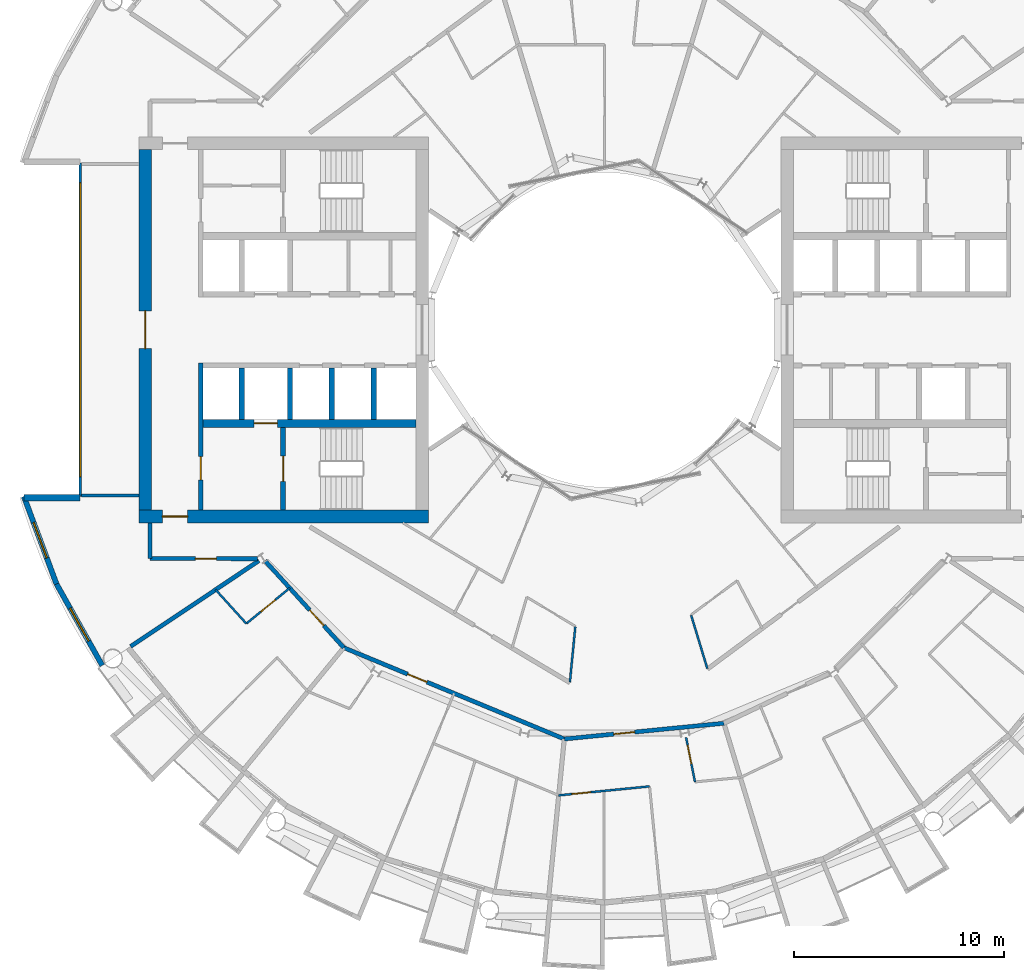
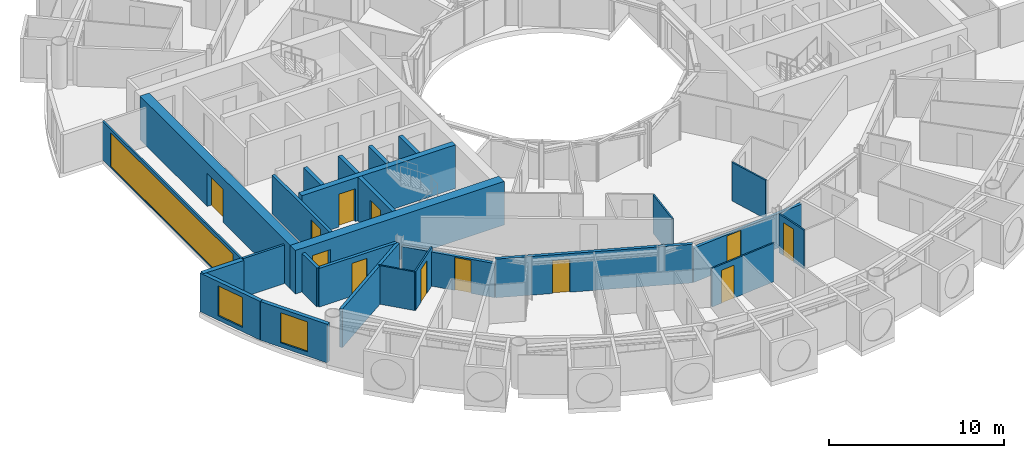
# One storey, part 15 of 27: 26 walls, 12 doors, 3 windows, 15 openings.
"""IFC4 building model written with IfcOpenShell, lengths in metres."""

from ifc_helpers import new_model, si_unit, direction, frame, frame_2d, origin, place, context, subcontext, project, spatial, rectangle, extrude, material, layer, layer_set, type_object, element, fill, save


model = new_model("IFC4")

# Units and contexts
model_context = context("Model", 3, precision=1e-05, world=origin(), true_north=direction((0.0, 1.0)))
body_context = subcontext(model_context, "Body", "Model", "MODEL_VIEW")
ifc_project = project(units=[si_unit("LENGTHUNIT", "METRE"), si_unit("AREAUNIT", "SQUARE_METRE"), si_unit("VOLUMEUNIT", "CUBIC_METRE"), si_unit("PLANEANGLEUNIT", "RADIAN"), si_unit("MASSUNIT", "GRAM", prefix="KILO")], contexts=[model_context])

# Site, building, storey
site_placement = place(None, origin())
site = spatial("IfcSite", under=ifc_project, at=site_placement, CompositionType="ELEMENT")
building_placement = place(site_placement, origin())
building = spatial("IfcBuilding", under=site, at=building_placement, Name="Maasbend Ring Residences", CompositionType="ELEMENT")
storey_placement = place(building_placement, frame((0.0, 0.0, 120.800048828125)))
storey = spatial("IfcBuildingStorey", under=building, at=storey_placement, Name="L34", CompositionType="ELEMENT", Elevation=120.800048828125)

# Wall, opening, door
ifc_material_1 = material(Name="Concrete C60/75", Category="concrete")
ifc_layer_1 = layer(ifc_material_1, 0.25)
ifc_layer_set_1 = layer_set([ifc_layer_1], Name="Concrete C60/75")
wall_type_1 = type_object("IfcWallType", Name="CORE WALL 250 C60/75", PredefinedType="SHEAR", material=ifc_layer_set_1)
wall_1_placement = place(storey_placement, frame((-15.324951171875, -4.64990234375, 0.0), z_axis=(0.0, 0.0, 1.0), x_axis=(0.0, -1.0, 0.0)))
wall_1 = element("IfcWall", 1, at=wall_1_placement, inside=storey, type_object=wall_type_1, Name="L34 core W wall STEN", PredefinedType="SHEAR", context=body_context, shape_type="SweptSolid", body=[
    extrude(rectangle(XDim=3.9501953125, YDim=0.25, at=frame_2d((1.97509765625, 0.0))), origin(), (0.0, 0.0, 1.0), 3.050048828125),
])
opening_1_placement = place(wall_1_placement, frame((1.375, 0.0, 0.0)))
opening_1 = element("IfcOpeningElement", 2, at=opening_1_placement, cuts=wall_1, Name="Opening D-W3410", PredefinedType="OPENING", context=body_context, shape_type="SweptSolid", body=[
    extrude(rectangle(XDim=1.199951171875, YDim=2.300048828125, at=frame_2d((0.60009765625, 1.14990234375))), frame((0.0, 0.135009765625, 0.0), z_axis=(0.0, -1.0, 0.0), x_axis=(1.0, 0.0, 0.0)), (0.0, 0.0, 1.0), 0.27001953125),
])
ifc_material_2 = material(Name="Steel, powder coated", Category="steel")
door_type_1 = type_object("IfcDoorType", Name="STAIR DOOR 1200 X 2300 FD60", OperationType="NOTDEFINED", PredefinedType="DOOR", material=ifc_material_2)
door_1_placement = place(opening_1_placement, origin())
door_1 = element("IfcDoor", 3, at=door_1_placement, inside=storey, type_object=door_type_1, Name="Stair door ST-W L34", OperationType="SINGLE_SWING_LEFT", OverallHeight=2.300048828125, OverallWidth=1.199951171875, PredefinedType="DOOR", context=body_context, shape_type="SweptSolid", body=[
    extrude(rectangle(XDim=1.199951171875, YDim=2.300048828125, at=frame_2d((0.60009765625, 1.14990234375))), frame((0.0, 0.02490234375, 0.0), z_axis=(0.0, -1.0, 0.0), x_axis=(1.0, 0.0, 0.0)), (0.0, 0.0, 1.0), 0.050048828125),
])
fill(opening_1, door_1)

ifc_material_3 = material(Name="Concrete C60/75", Category="concrete")
ifc_layer_2 = layer(ifc_material_3, 0.375)
ifc_layer_set_2 = layer_set([ifc_layer_2], Name="Concrete C60/75")
wall_type_2 = type_object("IfcWallType", Name="CORE WALL 375 C60/75", PredefinedType="SHEAR", material=ifc_layer_set_2)
wall_2_placement = place(storey_placement, frame((-9.0, -4.46240234375, 0.0), z_axis=(0.0, 0.0, 1.0), x_axis=(-1.0, 0.0, 0.0)))
wall_2 = element("IfcWall", 4, at=wall_2_placement, inside=storey, type_object=wall_type_2, Name="L34 core W wall BN", PredefinedType="SHEAR", context=body_context, shape_type="SweptSolid", body=[
    extrude(rectangle(XDim=10.14990234375, YDim=0.375, at=frame_2d((5.074951171875, 0.0))), origin(), (0.0, 0.0, 1.0), 3.050048828125),
])
opening_2_placement = place(wall_2_placement, frame((6.60009765625, 0.0, 0.0)))
opening_2 = element("IfcOpeningElement", 5, at=opening_2_placement, cuts=wall_2, Name="Opening LD-W3404", PredefinedType="OPENING", context=body_context, shape_type="SweptSolid", body=[
    extrude(rectangle(XDim=1.10009765625, YDim=2.300048828125, at=frame_2d((0.550048828125, 1.14990234375))), frame((0.0, 0.197509765625, 0.0), z_axis=(0.0, -1.0, 0.0), x_axis=(1.0, 0.0, 0.0)), (0.0, 0.0, 1.0), 0.39501953125),
])
ifc_material_4 = material(Name="Stainless steel 316", Category="steel")
door_type_2 = type_object("IfcDoorType", Name="LANDING DOOR 1100 X 2300 FD60", OperationType="DOUBLE_DOOR_SLIDING", PredefinedType="DOOR", material=ifc_material_4)
door_2_placement = place(opening_2_placement, origin())
door_2 = element("IfcDoor", 6, at=door_2_placement, inside=storey, type_object=door_type_2, Name="Landing door FF-W L34", OperationType="DOUBLE_DOOR_SLIDING", OverallHeight=2.300048828125, OverallWidth=1.10009765625, PredefinedType="DOOR", context=body_context, shape_type="SweptSolid", body=[
    extrude(rectangle(XDim=1.10009765625, YDim=2.300048828125, at=frame_2d((0.550048828125, 1.14990234375))), frame((0.0, 0.02490234375, 0.0), z_axis=(0.0, -1.0, 0.0), x_axis=(1.0, 0.0, 0.0)), (0.0, 0.0, 1.0), 0.050048828125),
])
fill(opening_2, door_2)

ifc_material_5 = material(Name="Concrete C60/75", Category="concrete")
ifc_layer_3 = layer(ifc_material_5, 0.60009765625)
ifc_layer_set_3 = layer_set([ifc_layer_3], Name="Concrete C60/75")
wall_type_3 = type_object("IfcWallType", Name="CORE WALL 600 C60/75", PredefinedType="SHEAR", material=ifc_layer_set_3)
wall_3_placement = place(storey_placement, frame((-22.199951171875, -8.89990234375, 0.0), z_axis=(0.0, 0.0, 1.0), x_axis=(1.0, 0.0, 0.0)))
wall_3 = element("IfcWall", 7, at=wall_3_placement, inside=storey, type_object=wall_type_3, Name="L34 core W wall PN", PredefinedType="SHEAR", context=body_context, shape_type="SweptSolid", body=[
    extrude(rectangle(XDim=13.800048828125, YDim=0.60009765625, at=frame_2d((6.89990234375, 0.0))), origin(), (0.0, 0.0, 1.0), 3.050048828125),
])
opening_3_placement = place(wall_3_placement, frame((1.125, 0.0, 0.0)))
opening_3 = element("IfcOpeningElement", 8, at=opening_3_placement, cuts=wall_3, Name="Opening D-W3414", PredefinedType="OPENING", context=body_context, shape_type="SweptSolid", body=[
    extrude(rectangle(XDim=1.199951171875, YDim=2.300048828125, at=frame_2d((0.60009765625, 1.14990234375))), frame((0.0, 0.31005859375, 0.0), z_axis=(0.0, -1.0, 0.0), x_axis=(1.0, 0.0, 0.0)), (0.0, 0.0, 1.0), 0.6201171875),
])
ifc_material_6 = material(Name="Steel, powder coated", Category="steel")
door_type_3 = type_object("IfcDoorType", Name="CORRIDOR DOOR 1200 X 2300 FD30S", OperationType="NOTDEFINED", PredefinedType="DOOR", material=ifc_material_6)
door_3_placement = place(opening_3_placement, origin())
door_3 = element("IfcDoor", 9, at=door_3_placement, inside=storey, type_object=door_type_3, Name="Corridor door L34", OperationType="SINGLE_SWING_RIGHT", OverallHeight=2.300048828125, OverallWidth=1.199951171875, PredefinedType="DOOR", context=body_context, shape_type="SweptSolid", body=[
    extrude(rectangle(XDim=1.199951171875, YDim=2.300048828125, at=frame_2d((0.60009765625, 1.14990234375))), frame((0.0, 0.02490234375, 0.0), z_axis=(0.0, -1.0, 0.0), x_axis=(1.0, 0.0, 0.0)), (0.0, 0.0, 1.0), 0.050048828125),
])
fill(opening_3, door_3)

wall_4_placement = place(storey_placement, frame((-21.89990234375, -8.60009765625, 0.0), z_axis=(0.0, 0.0, 1.0), x_axis=(0.0, 1.0, 0.0)))
wall_4 = element("IfcWall", 10, at=wall_4_placement, inside=storey, type_object=wall_type_3, Name="L34 core W wall POUT", PredefinedType="SHEAR", context=body_context, shape_type="SweptSolid", body=[
    extrude(rectangle(XDim=17.2001953125, YDim=0.60009765625, at=frame_2d((8.60009765625, 0.0))), origin(), (0.0, 0.0, 1.0), 3.050048828125),
])
opening_4_placement = place(wall_4_placement, frame((7.699951171875, 0.0, 0.0)))
opening_4 = element("IfcOpeningElement", 11, at=opening_4_placement, cuts=wall_4, Name="Opening D-W3416", PredefinedType="OPENING", context=body_context, shape_type="SweptSolid", body=[
    extrude(rectangle(XDim=1.800048828125, YDim=2.300048828125, at=frame_2d((0.89990234375, 1.14990234375))), frame((0.0, 0.31005859375, 0.0), z_axis=(0.0, -1.0, 0.0), x_axis=(1.0, 0.0, 0.0)), (0.0, 0.0, 1.0), 0.6201171875),
])
ifc_material_7 = material(Name="Aluminium frame, clear glass", Category="aluminium")
door_type_4 = type_object("IfcDoorType", Name="ENTRANCE DOOR 1800 X 2300 FD60", OperationType="NOTDEFINED", PredefinedType="DOOR", material=ifc_material_7)
door_4_placement = place(opening_4_placement, origin())
door_4 = element("IfcDoor", 12, at=door_4_placement, inside=storey, type_object=door_type_4, Name="Lobby glazed door L34", OperationType="SINGLE_SWING_LEFT", OverallHeight=2.300048828125, OverallWidth=1.800048828125, PredefinedType="DOOR", context=body_context, shape_type="SweptSolid", body=[
    extrude(rectangle(XDim=1.800048828125, YDim=2.300048828125, at=frame_2d((0.89990234375, 1.14990234375))), frame((0.0, 0.02490234375, 0.0), z_axis=(0.0, -1.0, 0.0), x_axis=(1.0, 0.0, 0.0)), (0.0, 0.0, 1.0), 0.050048828125),
])
fill(opening_4, door_4)

ifc_material_8 = material(Name="Concrete C30/37", Category="concrete")
ifc_layer_4 = layer(ifc_material_8, 0.199951171875)
ifc_layer_set_4 = layer_set([ifc_layer_4], Name="Concrete C30/37")
wall_type_4 = type_object("IfcWallType", Name="CORRIDOR WALL 200 CONCRETE", PredefinedType="PARTITIONING", material=ifc_layer_set_4)
wall_5_placement = place(storey_placement, frame((-16.19189453125, -11.00390625, 0.0), z_axis=(0.0, 0.0, 1.0), x_axis=(0.671481997275, -0.741020868354, 0.0)))
wall_5 = element("IfcWall", 13, at=wall_5_placement, inside=storey, type_object=wall_type_4, Name="U-L34-w013", PredefinedType="PARTITIONING", context=body_context, shape_type="SweptSolid", body=[
    extrude(rectangle(XDim=5.59619140625, YDim=0.199951171875, at=frame_2d((2.798095703125, 0.0))), origin(), (0.0, 0.0, 1.0), 2.389892578125),
])
opening_5_placement = place(wall_5_placement, frame((3.178955078125, 0.0, 0.0)))
opening_5 = element("IfcOpeningElement", 14, at=opening_5_placement, cuts=wall_5, Name="Opening D-3433", PredefinedType="OPENING", context=body_context, shape_type="SweptSolid", body=[
    extrude(rectangle(XDim=1.0, YDim=2.300048828125, at=frame_2d((0.5, 1.14990234375))), frame((0.0, 0.10986328125, 0.0), z_axis=(0.0, -1.0, 0.0), x_axis=(1.0, 0.0, 0.0)), (0.0, 0.0, 1.0), 0.219970703125),
])
ifc_material_9 = material(Name="Timber, fire-rated, painted", Category="wood")
door_type_5 = type_object("IfcDoorType", Name="FLAT ENTRANCE DOOR 1000 X 2300 FIRE-RATED", OperationType="NOTDEFINED", PredefinedType="DOOR", material=ifc_material_9)
door_5_placement = place(opening_5_placement, origin())
door_5 = element("IfcDoor", 15, at=door_5_placement, inside=storey, type_object=door_type_5, Name="D-3433", OperationType="SINGLE_SWING_RIGHT", OverallHeight=2.300048828125, OverallWidth=1.0, PredefinedType="DOOR", context=body_context, shape_type="SweptSolid", body=[
    extrude(rectangle(XDim=1.0, YDim=2.300048828125, at=frame_2d((0.5, 1.14990234375))), frame((0.0, 0.02490234375, 0.0), z_axis=(0.0, -1.0, 0.0), x_axis=(1.0, 0.0, 0.0)), (0.0, 0.0, 1.0), 0.050048828125),
])
fill(opening_5, door_5)

wall_6_placement = place(storey_placement, frame((-1.9208984375, -19.506103515625, 0.0), z_axis=(0.0, 0.0, 1.0), x_axis=(0.995172982325, 0.098136309541, 0.0)))
wall_6 = element("IfcWall", 16, at=wall_6_placement, inside=storey, type_object=wall_type_4, Name="U-L34-w015", PredefinedType="PARTITIONING", context=body_context, shape_type="SweptSolid", body=[
    extrude(rectangle(XDim=7.65478515625, YDim=0.199951171875, at=frame_2d((3.827392578125, 0.0))), origin(), (0.0, 0.0, 1.0), 2.389892578125),
])
opening_6_placement = place(wall_6_placement, frame((2.367919921875, 0.0, 0.0)))
opening_6 = element("IfcOpeningElement", 17, at=opening_6_placement, cuts=wall_6, Name="Opening D-3442", PredefinedType="OPENING", context=body_context, shape_type="SweptSolid", body=[
    extrude(rectangle(XDim=1.0, YDim=2.300048828125, at=frame_2d((0.5, 1.14990234375))), frame((0.0, 0.10986328125, 0.0), z_axis=(0.0, -1.0, 0.0), x_axis=(1.0, 0.0, 0.0)), (0.0, 0.0, 1.0), 0.219970703125),
])
door_6_placement = place(opening_6_placement, origin())
door_6 = element("IfcDoor", 18, at=door_6_placement, inside=storey, type_object=door_type_5, Name="D-3442", OperationType="SINGLE_SWING_LEFT", OverallHeight=2.300048828125, OverallWidth=1.0, PredefinedType="DOOR", context=body_context, shape_type="SweptSolid", body=[
    extrude(rectangle(XDim=1.0, YDim=2.300048828125, at=frame_2d((0.5, 1.14990234375))), frame((0.0, 0.02490234375, 0.0), z_axis=(0.0, -1.0, 0.0), x_axis=(1.0, 0.0, 0.0)), (0.0, 0.0, 1.0), 0.050048828125),
])
fill(opening_6, door_6)

wall_7_placement = place(storey_placement, frame((-12.43408203125, -15.15087890625, 0.0), z_axis=(0.0, 0.0, 1.0), x_axis=(0.923888467236, -0.382661861319, 0.0)))
wall_7 = element("IfcWall", 19, at=wall_7_placement, inside=storey, type_object=wall_type_4, Name="U-L34-w017", PredefinedType="PARTITIONING", context=body_context, shape_type="SweptSolid", body=[
    extrude(rectangle(XDim=11.38134765625, YDim=0.199951171875, at=frame_2d((5.690673828125, 0.0))), origin(), (0.0, 0.0, 1.0), 2.699951171875),
])
opening_7_placement = place(wall_7_placement, frame((3.2919921875, 0.0, 0.0)))
opening_7 = element("IfcOpeningElement", 20, at=opening_7_placement, cuts=wall_7, Name="Opening D-3436", PredefinedType="OPENING", context=body_context, shape_type="SweptSolid", body=[
    extrude(rectangle(XDim=1.0, YDim=2.300048828125, at=frame_2d((0.5, 1.14990234375))), frame((0.0, 0.10986328125, 0.0), z_axis=(0.0, -1.0, 0.0), x_axis=(1.0, 0.0, 0.0)), (0.0, 0.0, 1.0), 0.219970703125),
])
door_7_placement = place(opening_7_placement, origin())
door_7 = element("IfcDoor", 21, at=door_7_placement, inside=storey, type_object=door_type_5, Name="D-3436", OperationType="SINGLE_SWING_LEFT", OverallHeight=2.300048828125, OverallWidth=1.0, PredefinedType="DOOR", context=body_context, shape_type="SweptSolid", body=[
    extrude(rectangle(XDim=1.0, YDim=2.300048828125, at=frame_2d((0.5, 1.14990234375))), frame((0.0, 0.02490234375, 0.0), z_axis=(0.0, -1.0, 0.0), x_axis=(1.0, 0.0, 0.0)), (0.0, 0.0, 1.0), 0.050048828125),
])
fill(opening_7, door_7)

wall_8_placement = place(storey_placement, frame((-21.675048828125, -10.89990234375, 0.0), z_axis=(0.0, 0.0, 1.0), x_axis=(0.999997173357, -0.002377662213, 0.0)))
wall_8 = element("IfcWall", 22, at=wall_8_placement, inside=storey, type_object=wall_type_4, Name="U-L34-w024", PredefinedType="PARTITIONING", context=body_context, shape_type="SweptSolid", body=[
    extrude(rectangle(XDim=5.134033203125, YDim=0.199951171875, at=frame_2d((2.56689453125, 0.0))), origin(), (0.0, 0.0, 1.0), 2.699951171875),
])
opening_8_placement = place(wall_8_placement, frame((2.1708984375, 0.0, 0.0)))
opening_8 = element("IfcOpeningElement", 23, at=opening_8_placement, cuts=wall_8, Name="Opening D-3462", PredefinedType="OPENING", context=body_context, shape_type="SweptSolid", body=[
    extrude(rectangle(XDim=1.0, YDim=2.300048828125, at=frame_2d((0.5, 1.14990234375))), frame((0.0, 0.10986328125, 0.0), z_axis=(0.0, -1.0, 0.0), x_axis=(1.0, 0.0, 0.0)), (0.0, 0.0, 1.0), 0.219970703125),
])
ifc_material_10 = material(Name="Timber, painted", Category="wood")
door_type_6 = type_object("IfcDoorType", Name="ROOM DOOR 1000 X 2300", OperationType="NOTDEFINED", PredefinedType="DOOR", material=ifc_material_10)
door_8_placement = place(opening_8_placement, origin())
door_8 = element("IfcDoor", 24, at=door_8_placement, inside=storey, type_object=door_type_6, Name="D-3462", OperationType="SINGLE_SWING_RIGHT", OverallHeight=2.300048828125, OverallWidth=1.0, PredefinedType="DOOR", context=body_context, shape_type="SweptSolid", body=[
    extrude(rectangle(XDim=1.0, YDim=2.300048828125, at=frame_2d((0.5, 1.14990234375))), frame((0.0, 0.02490234375, 0.0), z_axis=(0.0, -1.0, 0.0), x_axis=(1.0, 0.0, 0.0)), (0.0, 0.0, 1.0), 0.050048828125),
])
fill(opening_8, door_8)

# Wall
wall_9_placement = place(storey_placement, frame((-21.675048828125, -10.89990234375, 0.0), z_axis=(0.0, 0.0, 1.0), x_axis=(0.0, 1.0, 0.0)))
element("IfcWall", 25, at=wall_9_placement, inside=storey, type_object=wall_type_4, Name="U-L34-w103", PredefinedType="PARTITIONING", context=body_context, shape_type="SweptSolid", body=[
    extrude(rectangle(XDim=1.699951171875, YDim=0.199951171875, at=frame_2d((0.85009765625, 0.0))), origin(), (0.0, 0.0, 1.0), 2.699951171875),
])

# Wall, opening, window
ifc_material_11 = material(Name="Aluminium clad insulated panel", Category="aluminium")
ifc_layer_5 = layer(ifc_material_11, 0.25)
ifc_layer_set_5 = layer_set([ifc_layer_5], Name="EW-HORN")
wall_type_5 = type_object("IfcWallType", Name="EW-HORN", PredefinedType="SOLIDWALL", material=ifc_layer_set_5)
wall_10_placement = place(storey_placement, frame((-27.681884765625, -7.945068359375, 0.0), z_axis=(0.0, 0.0, 1.0), x_axis=(0.349247811493, -0.937030397675, 0.0)))
wall_10 = element("IfcWall", 26, at=wall_10_placement, inside=storey, type_object=wall_type_5, Name="Horn wall 3.1", PredefinedType="SOLIDWALL", context=body_context, shape_type="SweptSolid", body=[
    extrude(rectangle(XDim=4.4521484375, YDim=0.25, at=frame_2d((2.22607421875, 0.0))), origin(), (0.0, 0.0, 1.0), 2.699951171875),
])
opening_9_placement = place(wall_10_placement, frame((1.32666015625, 0.0, 0.300048828125)))
opening_9 = element("IfcOpeningElement", 27, at=opening_9_placement, cuts=wall_10, Name="Opening W-BX", PredefinedType="OPENING", context=body_context, shape_type="SweptSolid", body=[
    extrude(rectangle(XDim=1.800048828125, YDim=2.10009765625, at=frame_2d((0.89990234375, 1.050048828125))), frame((0.0, 0.135009765625, 0.0), z_axis=(0.0, -1.0, 0.0), x_axis=(1.0, 0.0, 0.0)), (0.0, 0.0, 1.0), 0.27001953125),
])
ifc_material_12 = material(Name="Aluminium and clear glass", Category="aluminium")
window_type_1 = type_object("IfcWindowType", Name="W-BX", PartitioningType="DOUBLE_PANEL_VERTICAL", PredefinedType="WINDOW", material=ifc_material_12)
window_1_placement = place(opening_9_placement, origin())
window_1 = element("IfcWindow", 28, at=window_1_placement, inside=storey, type_object=window_type_1, Name="Horn window 3.1", OverallHeight=2.10009765625, OverallWidth=1.800048828125, PartitioningType="SINGLE_PANEL", PredefinedType="WINDOW", context=body_context, shape_type="SweptSolid", body=[
    extrude(rectangle(XDim=1.800048828125, YDim=2.10009765625, at=frame_2d((0.89990234375, 1.050048828125))), frame((0.0, 0.030029296875, 0.0), z_axis=(0.0, -1.0, 0.0), x_axis=(1.0, 0.0, 0.0)), (0.0, 0.0, 1.0), 0.06005859375),
])
fill(opening_9, window_1)

wall_11_placement = place(storey_placement, frame((-26.126953125, -12.116943359375, 0.0), z_axis=(0.0, 0.0, 1.0), x_axis=(0.489696356642, -0.871893042919, 0.0)))
wall_11 = element("IfcWall", 29, at=wall_11_placement, inside=storey, type_object=wall_type_5, Name="Horn wall 3.2", PredefinedType="SOLIDWALL", context=body_context, shape_type="SweptSolid", body=[
    extrude(rectangle(XDim=4.45361328125, YDim=0.25, at=frame_2d((2.226806640625, 0.0))), origin(), (0.0, 0.0, 1.0), 2.699951171875),
])
opening_10_placement = place(wall_11_placement, frame((1.32666015625, 0.0, 0.300048828125)))
opening_10 = element("IfcOpeningElement", 30, at=opening_10_placement, cuts=wall_11, Name="Opening W-BX", PredefinedType="OPENING", context=body_context, shape_type="SweptSolid", body=[
    extrude(rectangle(XDim=1.800048828125, YDim=2.10009765625, at=frame_2d((0.89990234375, 1.050048828125))), frame((0.0, 0.135009765625, 0.0), z_axis=(0.0, -1.0, 0.0), x_axis=(1.0, 0.0, 0.0)), (0.0, 0.0, 1.0), 0.27001953125),
])
window_2_placement = place(opening_10_placement, origin())
window_2 = element("IfcWindow", 31, at=window_2_placement, inside=storey, type_object=window_type_1, Name="Horn window 3.2", OverallHeight=2.10009765625, OverallWidth=1.800048828125, PartitioningType="SINGLE_PANEL", PredefinedType="WINDOW", context=body_context, shape_type="SweptSolid", body=[
    extrude(rectangle(XDim=1.800048828125, YDim=2.10009765625, at=frame_2d((0.89990234375, 1.050048828125))), frame((0.0, 0.030029296875, 0.0), z_axis=(0.0, -1.0, 0.0), x_axis=(1.0, 0.0, 0.0)), (0.0, 0.0, 1.0), 0.06005859375),
])
fill(opening_10, window_2)

# Wall
ifc_material_13 = material(Name="Aluminium clad insulated panel", Category="aluminium")
ifc_layer_6 = layer(ifc_material_13, 0.300048828125)
ifc_layer_set_6 = layer_set([ifc_layer_6], Name="EW-RET")
wall_type_6 = type_object("IfcWallType", Name="EW-RET", PredefinedType="SOLIDWALL", material=ifc_layer_set_6)
wall_12_placement = place(storey_placement, frame((-25.0, -8.0, 0.0), z_axis=(0.0, 0.0, 1.0), x_axis=(-1.0, 0.0, 0.0)))
element("IfcWall", 32, at=wall_12_placement, inside=storey, type_object=wall_type_6, Name="Notch return wall west south", PredefinedType="SOLIDWALL", context=body_context, shape_type="SweptSolid", body=[
    extrude(rectangle(XDim=2.6669921875, YDim=0.300048828125, at=frame_2d((1.33349609375, 0.0))), origin(), (0.0, 0.0, 1.0), 2.699951171875),
])

# Wall, opening, window
ifc_material_14 = material(Name="Aluminium frame and clear glass", Category="aluminium")
ifc_layer_7 = layer(ifc_material_14, 0.1201171875)
ifc_layer_set_7 = layer_set([ifc_layer_7], Name="GLAZED SCREEN WALL 120 EI 60")
wall_type_7 = type_object("IfcWallType", Name="GLAZED SCREEN WALL 120 EI 60", PredefinedType="PARTITIONING", material=ifc_layer_set_7)
wall_13_placement = place(storey_placement, frame((-25.0, 7.949951171875, 0.0), z_axis=(0.0, 0.0, 1.0), x_axis=(0.0, -1.0, 0.0)))
wall_13 = element("IfcWall", 33, at=wall_13_placement, inside=storey, type_object=wall_type_7, Name="L34 core W wall FACE", PredefinedType="PARTITIONING", context=body_context, shape_type="SweptSolid", body=[
    extrude(rectangle(XDim=15.89990234375, YDim=0.1201171875, at=frame_2d((7.949951171875, 0.0))), origin(), (0.0, 0.0, 1.0), 2.699951171875),
])
opening_11_placement = place(wall_13_placement, frame((0.949951171875, 0.0, 0.10009765625)))
opening_11 = element("IfcOpeningElement", 34, at=opening_11_placement, cuts=wall_13, Name="Opening W-W3402", PredefinedType="OPENING", context=body_context, shape_type="SweptSolid", body=[
    extrude(rectangle(XDim=14.0, YDim=2.35009765625, at=frame_2d((7.0, 1.175048828125))), frame((0.0, 0.070068359375, 0.0), z_axis=(0.0, -1.0, 0.0), x_axis=(1.0, 0.0, 0.0)), (0.0, 0.0, 1.0), 0.14013671875),
])
ifc_material_15 = material(Name="Aluminium frame and clear glass", Category="aluminium")
window_type_2 = type_object("IfcWindowType", Name="FIXED WINDOW 14000 X 2350", PartitioningType="SINGLE_PANEL", PredefinedType="WINDOW", material=ifc_material_15)
window_3_placement = place(opening_11_placement, origin())
window_3 = element("IfcWindow", 35, at=window_3_placement, inside=storey, type_object=window_type_2, Name="Lobby window L34", OverallHeight=2.35009765625, OverallWidth=14.0, PartitioningType="SINGLE_PANEL", PredefinedType="WINDOW", context=body_context, shape_type="SweptSolid", body=[
    extrude(rectangle(XDim=14.0, YDim=2.35009765625, at=frame_2d((7.0, 1.175048828125))), frame((0.0, 0.030029296875, 0.0), z_axis=(0.0, -1.0, 0.0), x_axis=(1.0, 0.0, 0.0)), (0.0, 0.0, 1.0), 0.06005859375),
])
fill(opening_11, window_3)

# Wall
ifc_material_16 = material(Name="Gypsum board on steel studs", Category="steel")
ifc_layer_8 = layer(ifc_material_16, 0.10009765625)
ifc_layer_set_8 = layer_set([ifc_layer_8], Name="PARTITION 100 GYPSUM")
wall_type_8 = type_object("IfcWallType", Name="PARTITION 100 GYPSUM", PredefinedType="PARTITIONING", material=ifc_layer_set_8)
wall_14_placement = place(storey_placement, frame((-18.5419921875, -12.388916015625, 0.0), z_axis=(0.0, 0.0, 1.0), x_axis=(0.671396556615, -0.741098282123, 0.0)))
element("IfcWall", 36, at=wall_14_placement, inside=storey, type_object=wall_type_8, Name="U-L34-w001", PredefinedType="PARTITIONING", context=body_context, shape_type="SweptSolid", body=[
    extrude(rectangle(XDim=2.18212890625, YDim=0.10009765625, at=frame_2d((1.091064453125, 0.0))), origin(), (0.0, 0.0, 1.0), 2.699951171875),
])

# Wall, opening, door
wall_15_placement = place(storey_placement, frame((-2.193115234375, -22.194091796875, 0.0), z_axis=(0.0, 0.0, 1.0), x_axis=(0.995173152282, 0.098134586035, 0.0)))
wall_15 = element("IfcWall", 37, at=wall_15_placement, inside=storey, type_object=wall_type_8, Name="U-L34-w005", PredefinedType="PARTITIONING", context=body_context, shape_type="SweptSolid", body=[
    extrude(rectangle(XDim=4.361083984375, YDim=0.10009765625, at=frame_2d((2.1806640625, 0.0))), origin(), (0.0, 0.0, 1.0), 2.699951171875),
])
opening_12_placement = place(wall_15_placement, frame((0.64111328125, 0.0, 0.0)))
opening_12 = element("IfcOpeningElement", 38, at=opening_12_placement, cuts=wall_15, Name="Opening D-3445", PredefinedType="OPENING", context=body_context, shape_type="SweptSolid", body=[
    extrude(rectangle(XDim=0.89990234375, YDim=2.300048828125, at=frame_2d((0.449951171875, 1.14990234375))), frame((0.0, 0.06005859375, 0.0), z_axis=(0.0, -1.0, 0.0), x_axis=(1.0, 0.0, 0.0)), (0.0, 0.0, 1.0), 0.1201171875),
])
ifc_material_17 = material(Name="Timber, painted", Category="wood")
door_type_7 = type_object("IfcDoorType", Name="INTERNAL DOOR 900 X 2300", OperationType="NOTDEFINED", PredefinedType="DOOR", material=ifc_material_17)
door_9_placement = place(opening_12_placement, origin())
door_9 = element("IfcDoor", 39, at=door_9_placement, inside=storey, type_object=door_type_7, Name="D-3445", OperationType="SINGLE_SWING_LEFT", OverallHeight=2.300048828125, OverallWidth=0.89990234375, PredefinedType="DOOR", context=body_context, shape_type="SweptSolid", body=[
    extrude(rectangle(XDim=0.89990234375, YDim=2.300048828125, at=frame_2d((0.449951171875, 1.14990234375))), frame((0.0, 0.02490234375, 0.0), z_axis=(0.0, -1.0, 0.0), x_axis=(1.0, 0.0, 0.0)), (0.0, 0.0, 1.0), 0.050048828125),
])
fill(opening_12, door_9)

wall_16_placement = place(storey_placement, frame((-17.076904296875, -14.006103515625, 0.0), z_axis=(0.0, 0.0, 1.0), x_axis=(0.77319617123, 0.634166918717, 0.0)))
wall_16 = element("IfcWall", 40, at=wall_16_placement, inside=storey, type_object=wall_type_8, Name="U-L34-w038", PredefinedType="PARTITIONING", context=body_context, shape_type="SweptSolid", body=[
    extrude(rectangle(XDim=2.674560546875, YDim=0.10009765625, at=frame_2d((1.33740234375, 0.0))), origin(), (0.0, 0.0, 1.0), 2.699951171875),
])
opening_13_placement = place(wall_16_placement, frame((0.886962890625, 0.0, 0.0)))
opening_13 = element("IfcOpeningElement", 41, at=opening_13_placement, cuts=wall_16, Name="Opening D-3434", PredefinedType="OPENING", context=body_context, shape_type="SweptSolid", body=[
    extrude(rectangle(XDim=0.89990234375, YDim=2.300048828125, at=frame_2d((0.449951171875, 1.14990234375))), frame((0.0, 0.06005859375, 0.0), z_axis=(0.0, -1.0, 0.0), x_axis=(1.0, 0.0, 0.0)), (0.0, 0.0, 1.0), 0.1201171875),
])
door_10_placement = place(opening_13_placement, origin())
door_10 = element("IfcDoor", 42, at=door_10_placement, inside=storey, type_object=door_type_7, Name="D-3434", OperationType="SINGLE_SWING_LEFT", OverallHeight=2.300048828125, OverallWidth=0.89990234375, PredefinedType="DOOR", context=body_context, shape_type="SweptSolid", body=[
    extrude(rectangle(XDim=0.89990234375, YDim=2.300048828125, at=frame_2d((0.449951171875, 1.14990234375))), frame((0.0, 0.02490234375, 0.0), z_axis=(0.0, -1.0, 0.0), x_axis=(1.0, 0.0, 0.0)), (0.0, 0.0, 1.0), 0.050048828125),
])
fill(opening_13, door_10)

wall_17_placement = place(storey_placement, frame((3.885009765625, -19.431884765625, 0.0), z_axis=(0.0, 0.0, 1.0), x_axis=(0.196051018784, -0.980593696713, 0.0)))
wall_17 = element("IfcWall", 43, at=wall_17_placement, inside=storey, type_object=wall_type_8, Name="U-L34-w062", PredefinedType="PARTITIONING", context=body_context, shape_type="SweptSolid", body=[
    extrude(rectangle(XDim=2.1630859375, YDim=0.10009765625, at=frame_2d((1.08154296875, 0.0))), origin(), (0.0, 0.0, 1.0), 2.699951171875),
])
opening_14_placement = place(wall_17_placement, frame((0.382080078125, 0.0, 0.0)))
opening_14 = element("IfcOpeningElement", 44, at=opening_14_placement, cuts=wall_17, Name="Opening D-3443", PredefinedType="OPENING", context=body_context, shape_type="SweptSolid", body=[
    extrude(rectangle(XDim=0.89990234375, YDim=2.300048828125, at=frame_2d((0.449951171875, 1.14990234375))), frame((0.0, 0.06005859375, 0.0), z_axis=(0.0, -1.0, 0.0), x_axis=(1.0, 0.0, 0.0)), (0.0, 0.0, 1.0), 0.1201171875),
])
door_11_placement = place(opening_14_placement, origin())
door_11 = element("IfcDoor", 45, at=door_11_placement, inside=storey, type_object=door_type_7, Name="D-3443", OperationType="SINGLE_SWING_LEFT", OverallHeight=2.300048828125, OverallWidth=0.89990234375, PredefinedType="DOOR", context=body_context, shape_type="SweptSolid", body=[
    extrude(rectangle(XDim=0.89990234375, YDim=2.300048828125, at=frame_2d((0.449951171875, 1.14990234375))), frame((0.0, 0.02490234375, 0.0), z_axis=(0.0, -1.0, 0.0), x_axis=(1.0, 0.0, 0.0)), (0.0, 0.0, 1.0), 0.050048828125),
])
fill(opening_14, door_11)

# Walls
wall_18_placement = place(storey_placement, frame((-1.39404296875, -14.154052734375, 0.0), z_axis=(0.0, 0.0, 1.0), x_axis=(-0.097901702875, -0.995196089509, 0.0)))
element("IfcWall", 46, at=wall_18_placement, inside=storey, type_object=wall_type_8, Name="U-L34-w113", PredefinedType="PARTITIONING", context=body_context, shape_type="SweptSolid", body=[
    extrude(rectangle(XDim=2.65576171875, YDim=0.10009765625, at=frame_2d((1.327880859375, 0.0))), origin(), (0.0, 0.0, 1.0), 2.699951171875),
])
wall_19_placement = place(storey_placement, frame((4.89990234375, -16.152099609375, 0.0), z_axis=(0.0, 0.0, 1.0), x_axis=(-0.290456070925, 0.956888327269, 0.0)))
element("IfcWall", 47, at=wall_19_placement, inside=storey, type_object=wall_type_8, Name="U-L34-w114", PredefinedType="PARTITIONING", context=body_context, shape_type="SweptSolid", body=[
    extrude(rectangle(XDim=2.65771484375, YDim=0.10009765625, at=frame_2d((1.328857421875, 0.0))), origin(), (0.0, 0.0, 1.0), 2.699951171875),
])
ifc_material_18 = material(Name="Gypsum board on steel studs", Category="steel")
ifc_layer_9 = layer(ifc_material_18, 0.14990234375)
ifc_layer_set_9 = layer_set([ifc_layer_9], Name="PARTITION 150 EI 60")
wall_type_9 = type_object("IfcWallType", Name="PARTITION 150 EI 60", PredefinedType="PARTITIONING", material=ifc_layer_set_9)
wall_20_placement = place(storey_placement, frame((-22.199951171875, -7.89990234375, 0.0), z_axis=(0.0, 0.0, 1.0), x_axis=(-1.0, 0.0, 0.0)))
element("IfcWall", 48, at=wall_20_placement, inside=storey, type_object=wall_type_9, Name="L34 core W wall CITN", PredefinedType="PARTITIONING", context=body_context, shape_type="SweptSolid", body=[
    extrude(rectangle(XDim=2.739990234375, YDim=0.14990234375, at=frame_2d((1.3701171875, 0.0))), origin(), (0.0, 0.0, 1.0), 2.699951171875),
])
ifc_material_19 = material(Name="Concrete C30/37", Category="concrete")
ifc_layer_10 = layer(ifc_material_19, 0.199951171875)
ifc_layer_set_10 = layer_set([ifc_layer_10], Name="Concrete C30/37")
wall_type_10 = type_object("IfcWallType", Name="PARTY WALL 200 CONCRETE", PredefinedType="PARTITIONING", material=ifc_layer_set_10)
wall_21_placement = place(storey_placement, frame((-22.594970703125, -15.096923828125, 0.0), z_axis=(0.0, 0.0, 1.0), x_axis=(0.831467903109, 0.555572791, 0.0)))
element("IfcWall", 49, at=wall_21_placement, inside=storey, type_object=wall_type_10, Name="U-L34-w032", PredefinedType="PARTITIONING", context=body_context, shape_type="SweptSolid", body=[
    extrude(rectangle(XDim=7.35791015625, YDim=0.199951171875, at=frame_2d((3.678955078125, 0.0))), origin(), (0.0, 0.0, 1.0), 2.699951171875),
])

# Wall, opening, door
ifc_material_20 = material(Name="Concrete C30/37", Category="concrete")
ifc_layer_11 = layer(ifc_material_20, 0.199951171875)
ifc_layer_set_11 = layer_set([ifc_layer_11], Name="Concrete C30/37")
wall_type_11 = type_object("IfcWallType", Name="SHAFT WALL 200 EI 120", PredefinedType="SOLIDWALL", material=ifc_layer_set_11)
wall_22_placement = place(storey_placement, frame((-19.25, -1.574951171875, 0.0), z_axis=(0.0, 0.0, 1.0), x_axis=(0.0, -1.0, 0.0)))
wall_22 = element("IfcWall", 50, at=wall_22_placement, inside=storey, type_object=wall_type_11, Name="L34 core W wall ENDN", PredefinedType="SOLIDWALL", context=body_context, shape_type="SweptSolid", body=[
    extrude(rectangle(XDim=7.025146484375, YDim=0.199951171875, at=frame_2d((3.5126953125, 0.0))), origin(), (0.0, 0.0, 1.0), 2.699951171875),
])
opening_15_placement = place(wall_22_placement, frame((4.47509765625, 0.0, 0.0)))
opening_15 = element("IfcOpeningElement", 51, at=opening_15_placement, cuts=wall_22, Name="Opening D-W3412", PredefinedType="OPENING", context=body_context, shape_type="SweptSolid", body=[
    extrude(rectangle(XDim=1.10009765625, YDim=2.300048828125, at=frame_2d((0.550048828125, 1.14990234375))), frame((0.0, 0.10986328125, 0.0), z_axis=(0.0, -1.0, 0.0), x_axis=(1.0, 0.0, 0.0)), (0.0, 0.0, 1.0), 0.219970703125),
])
ifc_material_21 = material(Name="Steel, powder coated", Category="steel")
door_type_8 = type_object("IfcDoorType", Name="LOBBY DOOR 1100 X 2300 FD60", OperationType="NOTDEFINED", PredefinedType="DOOR", material=ifc_material_21)
door_12_placement = place(opening_15_placement, origin())
door_12 = element("IfcDoor", 52, at=door_12_placement, inside=storey, type_object=door_type_8, Name="Lobby door L34", OperationType="SINGLE_SWING_LEFT", OverallHeight=2.300048828125, OverallWidth=1.10009765625, PredefinedType="DOOR", context=body_context, shape_type="SweptSolid", body=[
    extrude(rectangle(XDim=1.10009765625, YDim=2.300048828125, at=frame_2d((0.550048828125, 1.14990234375))), frame((0.0, 0.02490234375, 0.0), z_axis=(0.0, -1.0, 0.0), x_axis=(1.0, 0.0, 0.0)), (0.0, 0.0, 1.0), 0.050048828125),
])
fill(opening_15, door_12)

# Walls
ifc_material_22 = material(Name="Concrete C30/37", Category="concrete")
ifc_layer_12 = layer(ifc_material_22, 0.25)
ifc_layer_set_12 = layer_set([ifc_layer_12], Name="Concrete C30/37")
wall_type_12 = type_object("IfcWallType", Name="SHAFT WALL 250 EI 120", PredefinedType="SOLIDWALL", material=ifc_layer_set_12)
for number, where, z_axis, x_axis, name in (
    (53, (-15.0, -1.824951171875, 0.0), (0.0, 0.0, 1.0), (0.0, -1.0, 0.0), "L34 core W wall D150N"),
    (54, (-17.300048828125, -1.824951171875, 0.0), (0.0, 0.0, 1.0), (0.0, -1.0, 0.0), "L34 core W wall D173N"),
    (55, (-11.0, -1.824951171875, 0.0), (0.0, 0.0, 1.0), (0.0, -1.0, 0.0), "L34 core W wall D110N"),
    (56, (-13.0, -1.824951171875, 0.0), (0.0, 0.0, 1.0), (0.0, -1.0, 0.0), "L34 core W wall D130N"),
):
    element("IfcWall", number, at=place(storey_placement, frame(where, z_axis=z_axis, x_axis=x_axis)), inside=storey, type_object=wall_type_12, Name=name, PredefinedType="SOLIDWALL", context=body_context, shape_type="SweptSolid", body=[
        extrude(rectangle(XDim=2.449951171875, YDim=0.25, at=frame_2d((1.22509765625, 0.0))), origin(), (0.0, 0.0, 1.0), 2.699951171875),
    ])

save(model, "model.ifc")
